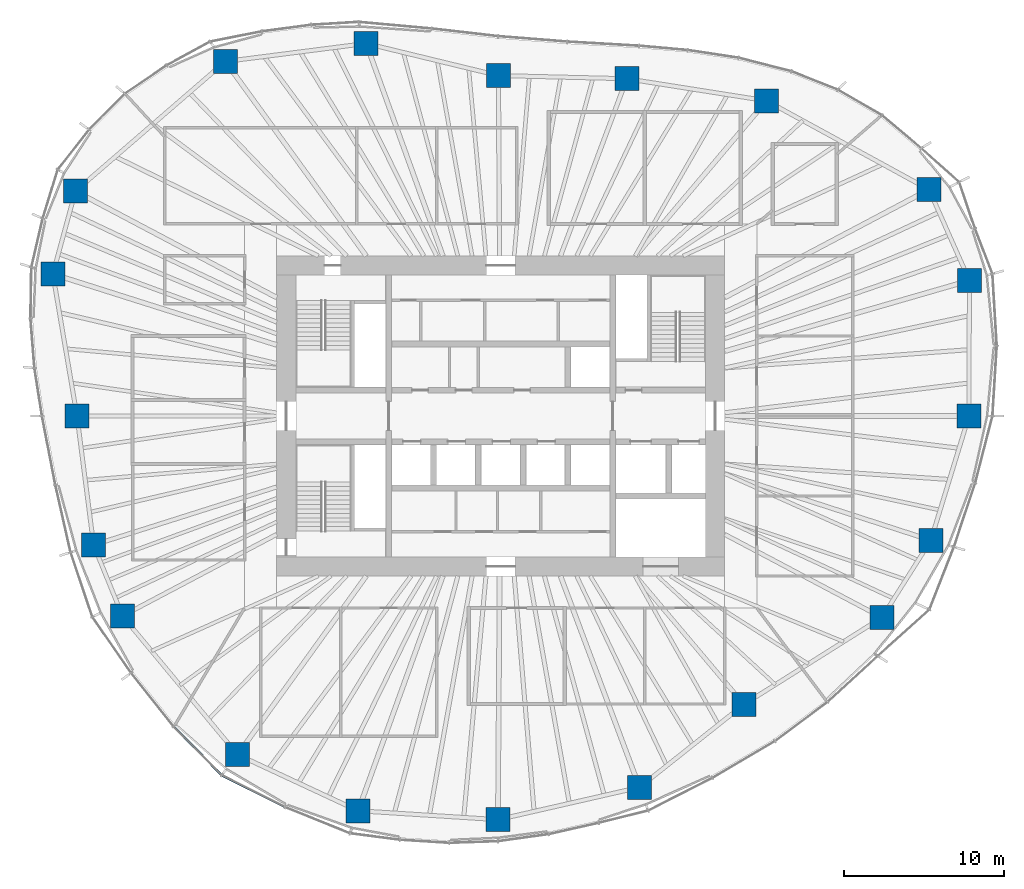
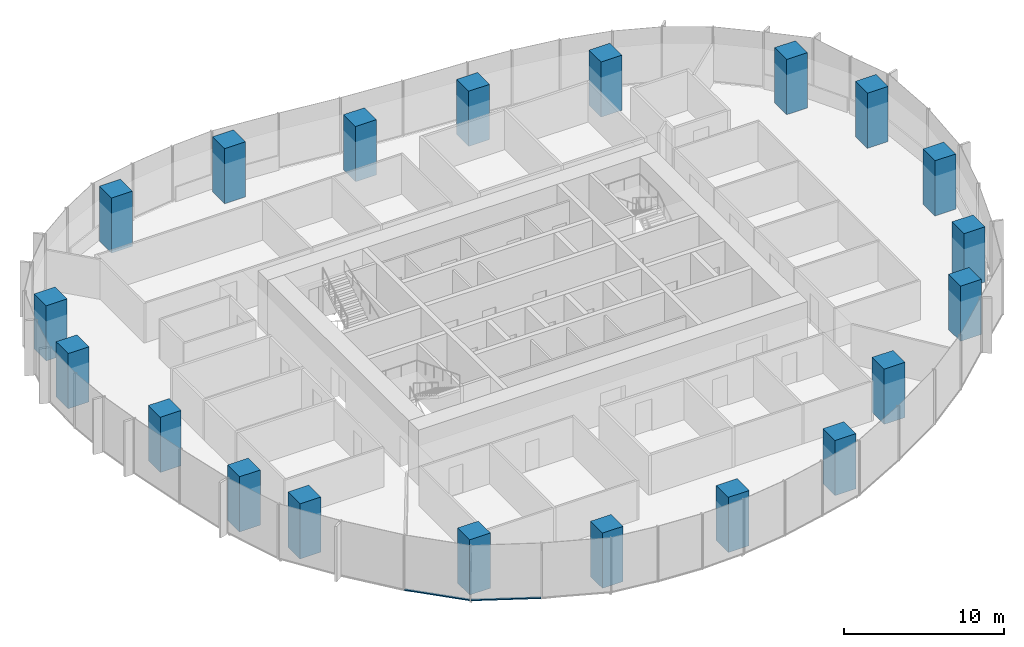
# One storey, part 1 of 18: 20 columns, 2 members, 2 elements without a shape of their own.
"""IFC4 building model written with IfcOpenShell, lengths in metres."""

from ifc_helpers import new_model, si_unit, direction, frame, origin, origin_2d, place, context, subcontext, project, spatial, rectangle, extrude, material, material_profile, profile_set, type_object, element, aggregate, save


model = new_model("IFC4")

# Units and contexts
model_context = context("Model", 3, precision=1e-05, world=origin(), true_north=direction((0.0, 1.0)))
body_context = subcontext(model_context, "Body", "Model", "MODEL_VIEW")
ifc_project = project(units=[si_unit("LENGTHUNIT", "METRE"), si_unit("AREAUNIT", "SQUARE_METRE"), si_unit("VOLUMEUNIT", "CUBIC_METRE"), si_unit("PLANEANGLEUNIT", "RADIAN"), si_unit("MASSUNIT", "GRAM", prefix="KILO")], contexts=[model_context])

# Site, building, storey
site_placement = place(None, origin())
site = spatial("IfcSite", under=ifc_project, at=site_placement, CompositionType="ELEMENT")
building_placement = place(site_placement, origin())
building = spatial("IfcBuilding", under=site, at=building_placement, Name="Ghaith Harvest Tower", CompositionType="ELEMENT")
storey_placement = place(building_placement, frame((0.0, 0.0, 126.0)))
storey = spatial("IfcBuildingStorey", under=building, at=storey_placement, Name="L26", CompositionType="ELEMENT", Elevation=126.0)

# Columns
ifc_material_1 = material(Name="Concrete C60/75", Category="concrete")
ifc_material_profile_1 = material_profile(ifc_material_1, rectangle(XDim=1.5, YDim=1.5, at=origin_2d()), Name="RC1500X1500")
ifc_profile_set_1 = profile_set([ifc_material_profile_1], Name="Concrete C60/75")
column_type = type_object("IfcColumnType", Name="TC3 RC1500X1500", PredefinedType="COLUMN", material=ifc_profile_set_1)
for number, where, z_axis, x_axis, name in (
    (1, (29.259033203125, 0.0, 0.0), (0.0, 0.0, 1.0), (1.0, 0.0, 0.0), "Perimeter column C01"),
    (2, (29.285888671875, 8.464111328125, 0.0), (0.0, 0.0, 1.0), (1.0, 0.0, 0.0), "Perimeter column C02"),
    (3, (26.763916015625, 14.14697265625, 0.0), (0.0, 0.0, 1.0), (1.0, 0.0, 0.0), "Perimeter column C03"),
    (4, (16.60791015625, 19.695068359375, 0.0), (0.0, 0.0, 1.0), (1.0, 0.0, 0.0), "Perimeter column C04"),
    (5, (7.8779296875, 21.072021484375, 0.0), (0.0, 0.0, 1.0), (1.0, 0.0, 0.0), "Perimeter column C05"),
    (6, (-0.14599609375, 21.27099609375, 0.0), (0.0, 0.0, 1.0), (1.0, 0.0, 0.0), "Perimeter column C06"),
    (7, (-8.406982421875, 23.27587890625, 0.0), (0.0, 0.0, 1.0), (1.0, 0.0, 0.0), "Perimeter column C07"),
    (8, (-17.201904296875, 22.14990234375, 0.0), (0.0, 0.0, 1.0), (1.0, 0.0, 0.0), "Perimeter column C08"),
    (9, (-26.572998046875, 14.0458984375, 0.0), (0.0, 0.0, 1.0), (1.0, 0.0, 0.0), "Perimeter column C09"),
    (10, (-27.98291015625, 8.867919921875, 0.0), (0.0, 0.0, 1.0), (1.0, 0.0, 0.0), "Perimeter column C10"),
    (11, (-26.47509765625, 0.0, 0.0), (0.0, 0.0, 1.0), (1.0, 0.0, 0.0), "Perimeter column C11"),
    (12, (-25.43603515625, -8.06103515625, 0.0), (0.0, 0.0, 1.0), (1.0, 0.0, 0.0), "Perimeter column C12"),
    (13, (-23.635009765625, -12.492919921875, 0.0), (0.0, 0.0, 1.0), (1.0, 0.0, 0.0), "Perimeter column C13"),
    (14, (-16.43701171875, -21.1640625, 0.0), (0.0, 0.0, 1.0), (1.0, 0.0, 0.0), "Perimeter column C14"),
    (15, (-8.908935546875, -24.66796875, 0.0), (0.0, 0.0, 1.0), (1.0, 0.0, 0.0), "Perimeter column C15"),
    (16, (-0.173095703125, -25.22412109375, 0.0), (0.0, 0.0, 1.0), (1.0, 0.0, 0.0), "Perimeter column C16"),
    (17, (8.674072265625, -23.202880859375, 0.0), (0.0, 0.0, 1.0), (1.0, 0.0, 0.0), "Perimeter column C17"),
    (18, (15.197998046875, -18.02294921875, 0.0), (0.0, 0.0, 1.0), (1.0, 0.0, 0.0), "Perimeter column C18"),
    (19, (23.825927734375, -12.593994140625, 0.0), (0.0, 0.0, 1.0), (1.0, 0.0, 0.0), "Perimeter column C19"),
    (20, (26.8779296875, -7.76806640625, 0.0), (0.0, 0.0, 1.0), (1.0, 0.0, 0.0), "Perimeter column C20"),
):
    element("IfcColumn", number, at=place(storey_placement, frame(where, z_axis=z_axis, x_axis=x_axis)), inside=storey, type_object=column_type, Name=name, PredefinedType="COLUMN", context=body_context, shape_type="SweptSolid", body=[
        extrude(rectangle(XDim=1.5, YDim=1.5, at=origin_2d()), origin(), (0.0, 0.0, 1.0), 4.199951171875),
    ])

# Curtain wall, member
ifc_material_2 = material(Name="Black anodised aluminium and fritted glass", Category="aluminium")
curtain_wall_type = type_object("IfcCurtainWallType", Name="CW-L CURTAIN WALL", PredefinedType="NOTDEFINED", material=ifc_material_2)
curtain_wall_1_placement = place(storey_placement, origin())
curtain_wall_1 = element("IfcCurtainWall", 21, at=curtain_wall_1_placement, inside=storey, type_object=curtain_wall_type, Name="Curtain wall CW-L bay 13 L26", PredefinedType="NOTDEFINED")
ifc_material_3 = material(Name="Aluminium, black anodised", Category="aluminium")
ifc_material_profile_2 = material_profile(ifc_material_3, rectangle(XDim=0.14990234375, YDim=0.080078125, at=origin_2d()), Name="CW-L TRANSOM 150x80")
ifc_profile_set_2 = profile_set([ifc_material_profile_2], Name="Aluminium, black anodised")
member_type = type_object("IfcMemberType", Name="CW-L TRANSOM 150x80", PredefinedType="USERDEFINED", material=ifc_profile_set_2)
member_1_placement = place(storey_placement, frame((-20.4130859375, -19.425048828125, 0.0400390625), z_axis=(0.702854410476, -0.711333731574, 0.0), x_axis=(0.711333731574, 0.702854410476, 0.0)))
member_1 = element("IfcMember", 22, at=member_1_placement, type_object=member_type, Name="CW-L transom 2 bay 13 L26", ObjectType="TRANSOM", PredefinedType="USERDEFINED", context=body_context, shape_type="SweptSolid", body=[
    extrude(rectangle(XDim=0.14990234375, YDim=0.080078125, at=origin_2d()), origin(), (0.0, 0.0, 1.0), 4.20361328125),
])
aggregate(curtain_wall_1, [member_1])

curtain_wall_2_placement = place(storey_placement, origin())
curtain_wall_2 = element("IfcCurtainWall", 23, at=curtain_wall_2_placement, inside=storey, type_object=curtain_wall_type, Name="Curtain wall CW-L bay 14 L26", PredefinedType="NOTDEFINED")
member_2_placement = place(storey_placement, frame((-17.394775390625, -22.461669921875, 0.0400390625), z_axis=(0.893057524502, -0.449942505138, 0.0), x_axis=(0.449942505138, 0.893057524502, 0.0)))
member_2 = element("IfcMember", 24, at=member_2_placement, type_object=member_type, Name="CW-L transom 1 bay 14 L26", ObjectType="TRANSOM", PredefinedType="USERDEFINED", context=body_context, shape_type="SweptSolid", body=[
    extrude(rectangle(XDim=0.14990234375, YDim=0.080078125, at=origin_2d()), origin(), (0.0, 0.0, 1.0), 4.362548828125),
])
aggregate(curtain_wall_2, [member_2])

save(model, "model.ifc")
